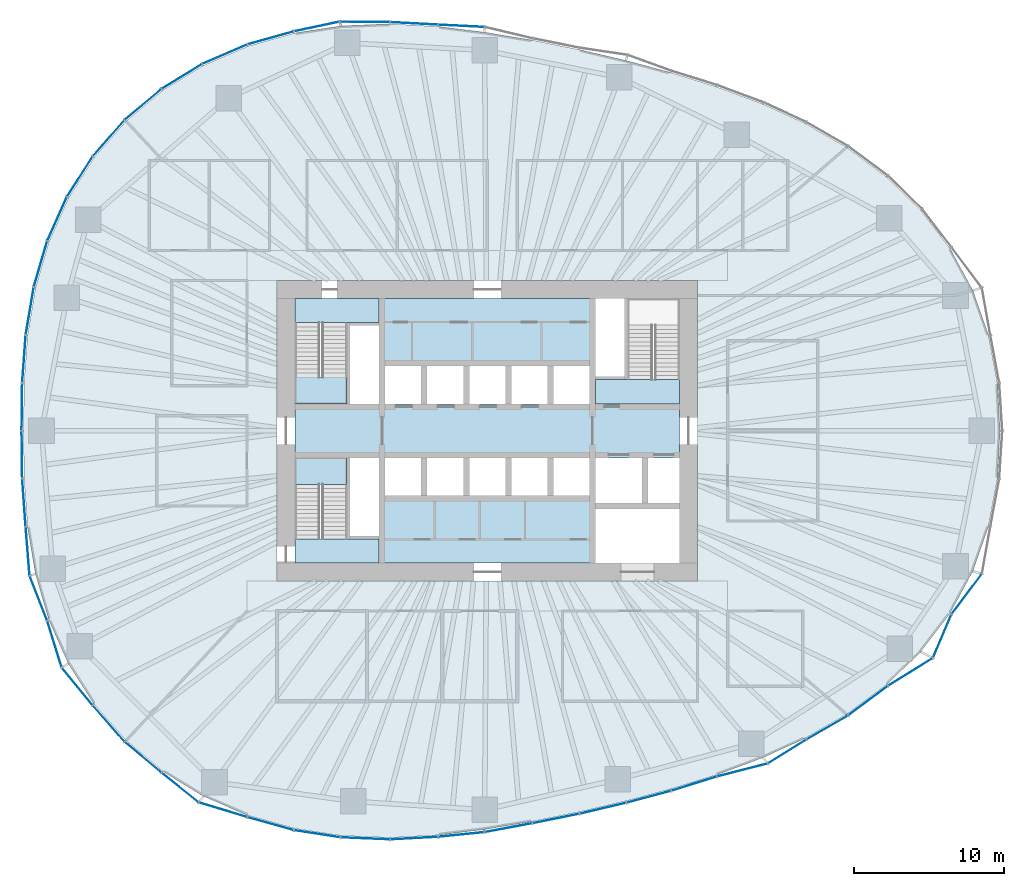
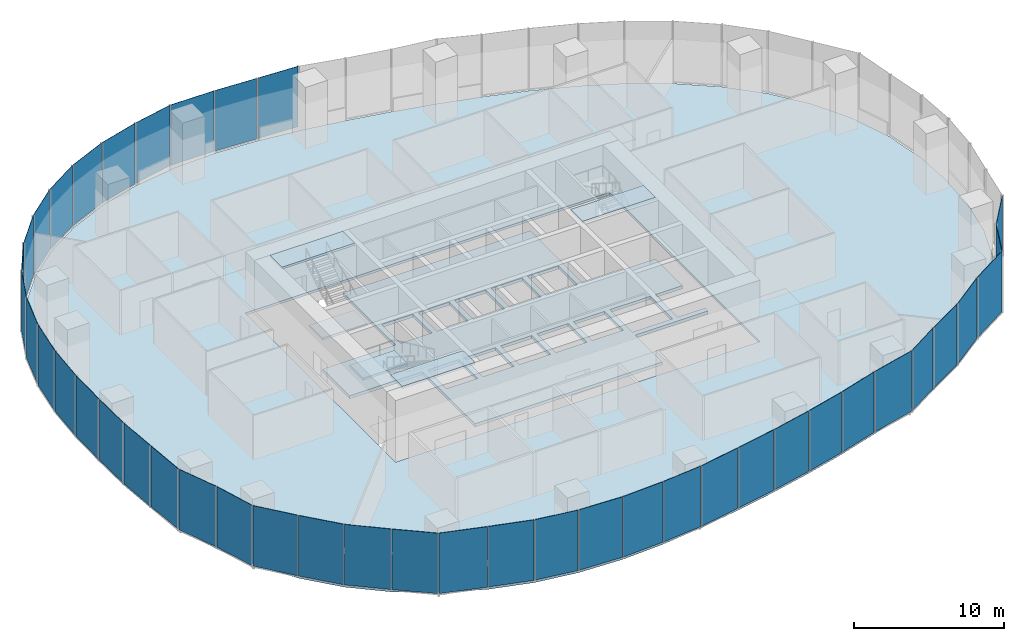
# One storey, part 8 of 19: 42 plates, 7 slabs, 17 elements without a shape of their own.
"""IFC4 building model written with IfcOpenShell, lengths in metres."""

from ifc_helpers import new_model, si_unit, direction, frame, origin, origin_2d, place, context, subcontext, project, spatial, polyline, rectangle, outline, extrude, material, layer, layer_set, type_object, element, aggregate, save


model = new_model("IFC4")

# Units and contexts
model_context = context("Model", 3, precision=1e-05, world=origin(), true_north=direction((0.0, 1.0)))
body_context = subcontext(model_context, "Body", "Model", "MODEL_VIEW")
ifc_project = project(units=[si_unit("LENGTHUNIT", "METRE"), si_unit("AREAUNIT", "SQUARE_METRE"), si_unit("VOLUMEUNIT", "CUBIC_METRE"), si_unit("PLANEANGLEUNIT", "RADIAN"), si_unit("MASSUNIT", "GRAM", prefix="KILO")], contexts=[model_context])

# Site, building, storey
site_placement = place(None, origin())
site = spatial("IfcSite", under=ifc_project, at=site_placement, CompositionType="ELEMENT")
building_placement = place(site_placement, origin())
building = spatial("IfcBuilding", under=site, at=building_placement, Name="Ghaith Harvest Tower", CompositionType="ELEMENT")
storey_placement = place(building_placement, frame((0.0, 0.0, 70.0)))
storey = spatial("IfcBuildingStorey", under=building, at=storey_placement, Name="L14", CompositionType="ELEMENT", Elevation=70.0)

# Curtain wall, plates
ifc_material_1 = material(Name="Black anodised aluminium and fritted glass", Category="aluminium")
curtain_wall_type = type_object("IfcCurtainWallType", Name="CW-F CURTAIN WALL", PredefinedType="NOTDEFINED", material=ifc_material_1)
curtain_wall_1_placement = place(storey_placement, origin())
curtain_wall_1 = element("IfcCurtainWall", 1, at=curtain_wall_1_placement, inside=storey, type_object=curtain_wall_type, Name="Curtain wall CW-F bay 06 L14", PredefinedType="NOTDEFINED")
ifc_material_2 = material(Name="Glass, high-transmission fritted double glazed unit", Category="glass")
ifc_layer_1 = layer(ifc_material_2, 0.028076171875)
ifc_layer_set_1 = layer_set([ifc_layer_1], Name="CW-F VISION PANEL")
plate_type = type_object("IfcPlateType", Name="CW-F VISION PANEL", PredefinedType="CURTAIN_PANEL", material=ifc_layer_set_1)
plate_1_placement = place(storey_placement, frame((-1.722900390625, 26.953369140625, 0.080078125), z_axis=(0.0, 0.0, 1.0), x_axis=(-0.998771443485, 0.049554048048, 0.0)))
plate_1 = element("IfcPlate", 2, at=plate_1_placement, type_object=plate_type, Name="CW-F panel 1 bay 06 L14", PredefinedType="CURTAIN_PANEL", context=body_context, shape_type="SweptSolid", body=[
    extrude(rectangle(XDim=3.001708984375, YDim=0.028076171875, at=origin_2d()), origin(), (0.0, 0.0, 1.0), 4.919921875),
])
plate_2_placement = place(storey_placement, frame((-4.863525390625, 27.11572265625, 0.080078125), z_axis=(0.0, 0.0, 1.0), x_axis=(-0.99856250263, 0.053599704667, 0.0)))
plate_2 = element("IfcPlate", 3, at=plate_2_placement, type_object=plate_type, Name="CW-F panel 2 bay 06 L14", PredefinedType="CURTAIN_PANEL", context=body_context, shape_type="SweptSolid", body=[
    extrude(rectangle(XDim=3.1279296875, YDim=0.028076171875, at=origin_2d()), origin(), (0.0, 0.0, 1.0), 4.919921875),
])
plate_3_placement = place(storey_placement, frame((-8.150390625, 27.217041015625, 0.080078125), z_axis=(0.0, 0.0, 1.0), x_axis=(-0.999959609481, 0.008987736446, 0.0)))
plate_3 = element("IfcPlate", 4, at=plate_3_placement, type_object=plate_type, Name="CW-F panel 3 bay 06 L14", PredefinedType="CURTAIN_PANEL", context=body_context, shape_type="SweptSolid", body=[
    extrude(rectangle(XDim=3.29052734375, YDim=0.028076171875, at=origin_2d()), origin(), (0.0, 0.0, 1.0), 4.919921875),
])
aggregate(curtain_wall_1, [plate_1, plate_2, plate_3])

curtain_wall_2_placement = place(storey_placement, origin())
curtain_wall_2 = element("IfcCurtainWall", 5, at=curtain_wall_2_placement, inside=storey, type_object=curtain_wall_type, Name="Curtain wall CW-F bay 07 L14", PredefinedType="NOTDEFINED")
plate_4_placement = place(storey_placement, frame((-11.358154296875, 26.908447265625, 0.080078125), z_axis=(0.0, 0.0, 1.0), x_axis=(-0.978149320779, -0.207903598476, 0.0)))
plate_4 = element("IfcPlate", 6, at=plate_4_placement, type_object=plate_type, Name="CW-F panel 1 bay 07 L14", PredefinedType="CURTAIN_PANEL", context=body_context, shape_type="SweptSolid", body=[
    extrude(rectangle(XDim=3.032958984375, YDim=0.028076171875, at=origin_2d()), origin(), (0.0, 0.0, 1.0), 4.919921875),
])
plate_5_placement = place(storey_placement, frame((-14.42578125, 26.150634765625, 0.080078125), z_axis=(0.0, 0.0, 1.0), x_axis=(-0.96272968243, -0.270465448012, 0.0)))
plate_5 = element("IfcPlate", 7, at=plate_5_placement, type_object=plate_type, Name="CW-F panel 2 bay 07 L14", PredefinedType="CURTAIN_PANEL", context=body_context, shape_type="SweptSolid", body=[
    extrude(rectangle(XDim=3.13037109375, YDim=0.028076171875, at=origin_2d()), origin(), (0.0, 0.0, 1.0), 4.919921875),
])
plate_6_placement = place(storey_placement, frame((-17.46923828125, 25.0693359375, 0.080078125), z_axis=(0.0, 0.0, 1.0), x_axis=(-0.918002845228, -0.396573796605, 0.0)))
plate_6 = element("IfcPlate", 8, at=plate_6_placement, type_object=plate_type, Name="CW-F panel 3 bay 07 L14", PredefinedType="CURTAIN_PANEL", context=body_context, shape_type="SweptSolid", body=[
    extrude(rectangle(XDim=3.18359375, YDim=0.028076171875, at=origin_2d()), origin(), (0.0, 0.0, 1.0), 4.919921875),
])
aggregate(curtain_wall_2, [plate_4, plate_5, plate_6])

curtain_wall_3_placement = place(storey_placement, origin())
curtain_wall_3 = element("IfcCurtainWall", 9, at=curtain_wall_3_placement, inside=storey, type_object=curtain_wall_type, Name="Curtain wall CW-F bay 08 L14", PredefinedType="NOTDEFINED")
plate_7_placement = place(storey_placement, frame((-20.324462890625, 23.590087890625, 0.080078125), z_axis=(0.0, 0.0, 1.0), x_axis=(-0.852527741552, -0.522681977769, 0.0)))
plate_7 = element("IfcPlate", 10, at=plate_7_placement, type_object=plate_type, Name="CW-F panel 1 bay 08 L14", PredefinedType="CURTAIN_PANEL", context=body_context, shape_type="SweptSolid", body=[
    extrude(rectangle(XDim=3.10400390625, YDim=0.028076171875, at=origin_2d()), origin(), (0.0, 0.0, 1.0), 4.919921875),
])
plate_8_placement = place(storey_placement, frame((-22.91064453125, 21.727294921875, 0.080078125), z_axis=(0.0, 0.0, 1.0), x_axis=(-0.766155215147, -0.642655573619, 0.0)))
plate_8 = element("IfcPlate", 11, at=plate_8_placement, type_object=plate_type, Name="CW-F panel 2 bay 08 L14", PredefinedType="CURTAIN_PANEL", context=body_context, shape_type="SweptSolid", body=[
    extrude(rectangle(XDim=3.1279296875, YDim=0.028076171875, at=origin_2d()), origin(), (0.0, 0.0, 1.0), 4.919921875),
])
plate_9_placement = place(storey_placement, frame((-25.201171875, 19.4853515625, 0.080078125), z_axis=(0.0, 0.0, 1.0), x_axis=(-0.659215937547, -0.751953687194, 0.0)))
plate_9 = element("IfcPlate", 12, at=plate_9_placement, type_object=plate_type, Name="CW-F panel 3 bay 08 L14", PredefinedType="CURTAIN_PANEL", context=body_context, shape_type="SweptSolid", body=[
    extrude(rectangle(XDim=3.1416015625, YDim=0.028076171875, at=origin_2d()), origin(), (0.0, 0.0, 1.0), 4.919921875),
])
aggregate(curtain_wall_3, [plate_7, plate_8, plate_9])

curtain_wall_4_placement = place(storey_placement, origin())
curtain_wall_4 = element("IfcCurtainWall", 13, at=curtain_wall_4_placement, inside=storey, type_object=curtain_wall_type, Name="Curtain wall CW-F bay 09 L14", PredefinedType="NOTDEFINED")
plate_10_placement = place(storey_placement, frame((-27.124755859375, 16.919677734375, 0.080078125), z_axis=(0.0, 0.0, 1.0), x_axis=(-0.536779195227, -0.843722759899, 0.0)))
plate_10 = element("IfcPlate", 14, at=plate_10_placement, type_object=plate_type, Name="CW-F panel 1 bay 09 L14", PredefinedType="CURTAIN_PANEL", context=body_context, shape_type="SweptSolid", body=[
    extrude(rectangle(XDim=3.13037109375, YDim=0.028076171875, at=origin_2d()), origin(), (0.0, 0.0, 1.0), 4.919921875),
])
plate_11_placement = place(storey_placement, frame((-28.639404296875, 14.100341796875, 0.080078125), z_axis=(0.0, 0.0, 1.0), x_axis=(-0.407134417018, -0.913368253488, 0.0)))
plate_11 = element("IfcPlate", 15, at=plate_11_placement, type_object=plate_type, Name="CW-F panel 2 bay 09 L14", PredefinedType="CURTAIN_PANEL", context=body_context, shape_type="SweptSolid", body=[
    extrude(rectangle(XDim=3.1279296875, YDim=0.028076171875, at=origin_2d()), origin(), (0.0, 0.0, 1.0), 4.919921875),
])
plate_12_placement = place(storey_placement, frame((-29.740478515625, 11.101318359375, 0.080078125), z_axis=(0.0, 0.0, 1.0), x_axis=(-0.280296918708, -0.959913348882, 0.0)))
plate_12 = element("IfcPlate", 16, at=plate_12_placement, type_object=plate_type, Name="CW-F panel 3 bay 09 L14", PredefinedType="CURTAIN_PANEL", context=body_context, shape_type="SweptSolid", body=[
    extrude(rectangle(XDim=3.1162109375, YDim=0.028076171875, at=origin_2d()), origin(), (0.0, 0.0, 1.0), 4.919921875),
])
aggregate(curtain_wall_4, [plate_10, plate_11, plate_12])

curtain_wall_5_placement = place(storey_placement, origin())
curtain_wall_5 = element("IfcCurtainWall", 17, at=curtain_wall_5_placement, inside=storey, type_object=curtain_wall_type, Name="Curtain wall CW-F bay 10 L14", PredefinedType="NOTDEFINED")
plate_13_placement = place(storey_placement, frame((-30.456298828125, 7.971435546875, 0.080078125), z_axis=(0.0, 0.0, 1.0), x_axis=(-0.165581316368, -0.986196140567, 0.0)))
plate_13 = element("IfcPlate", 18, at=plate_13_placement, type_object=plate_type, Name="CW-F panel 1 bay 10 L14", PredefinedType="CURTAIN_PANEL", context=body_context, shape_type="SweptSolid", body=[
    extrude(rectangle(XDim=3.156494140625, YDim=0.028076171875, at=origin_2d()), origin(), (0.0, 0.0, 1.0), 4.919921875),
])
plate_14_placement = place(storey_placement, frame((-30.84033203125, 4.77685546875, 0.080078125), z_axis=(0.0, 0.0, 1.0), x_axis=(-0.072420546123, -0.997374184797, 0.0)))
plate_14 = element("IfcPlate", 19, at=plate_14_placement, type_object=plate_type, Name="CW-F panel 2 bay 10 L14", PredefinedType="CURTAIN_PANEL", context=body_context, shape_type="SweptSolid", body=[
    extrude(rectangle(XDim=3.1259765625, YDim=0.028076171875, at=origin_2d()), origin(), (0.0, 0.0, 1.0), 4.919921875),
])
plate_15_placement = place(storey_placement, frame((-30.975830078125, 1.589111328125, 0.080078125), z_axis=(0.0, 0.0, 1.0), x_axis=(-0.012133206476, -0.999926389941, 0.0)))
plate_15 = element("IfcPlate", 20, at=plate_15_placement, type_object=plate_type, Name="CW-F panel 3 bay 10 L14", PredefinedType="CURTAIN_PANEL", context=body_context, shape_type="SweptSolid", body=[
    extrude(rectangle(XDim=3.09814453125, YDim=0.028076171875, at=origin_2d()), origin(), (0.0, 0.0, 1.0), 4.919921875),
])
aggregate(curtain_wall_5, [plate_13, plate_14, plate_15])

curtain_wall_6_placement = place(storey_placement, origin())
curtain_wall_6 = element("IfcCurtainWall", 21, at=curtain_wall_6_placement, inside=storey, type_object=curtain_wall_type, Name="Curtain wall CW-F bay 11 L14", PredefinedType="NOTDEFINED")
plate_16_placement = place(storey_placement, frame((-30.975830078125, -1.589111328125, 0.080078125), z_axis=(0.0, 0.0, 1.0), x_axis=(0.012133206773, -0.999926389937, 0.0)))
plate_16 = element("IfcPlate", 22, at=plate_16_placement, type_object=plate_type, Name="CW-F panel 1 bay 11 L14", PredefinedType="CURTAIN_PANEL", context=body_context, shape_type="SweptSolid", body=[
    extrude(rectangle(XDim=3.09814453125, YDim=0.028076171875, at=origin_2d()), origin(), (0.0, 0.0, 1.0), 4.919921875),
])
plate_17_placement = place(storey_placement, frame((-30.84033203125, -4.77685546875, 0.080078125), z_axis=(0.0, 0.0, 1.0), x_axis=(0.072420546349, -0.99737418478, 0.0)))
plate_17 = element("IfcPlate", 23, at=plate_17_placement, type_object=plate_type, Name="CW-F panel 2 bay 11 L14", PredefinedType="CURTAIN_PANEL", context=body_context, shape_type="SweptSolid", body=[
    extrude(rectangle(XDim=3.1259765625, YDim=0.028076171875, at=origin_2d()), origin(), (0.0, 0.0, 1.0), 4.919921875),
])
plate_18_placement = place(storey_placement, frame((-30.594482421875, -8.01513671875, 0.080078125), z_axis=(0.0, 0.0, 1.0), x_axis=(0.078867084181, -0.996885140341, 0.0)))
plate_18 = element("IfcPlate", 24, at=plate_18_placement, type_object=plate_type, Name="CW-F panel 3 bay 11 L14", PredefinedType="CURTAIN_PANEL", context=body_context, shape_type="SweptSolid", body=[
    extrude(rectangle(XDim=3.209716796875, YDim=0.028076171875, at=origin_2d()), origin(), (0.0, 0.0, 1.0), 4.919921875),
])
aggregate(curtain_wall_6, [plate_16, plate_17, plate_18])

curtain_wall_7_placement = place(storey_placement, origin())
curtain_wall_7 = element("IfcCurtainWall", 25, at=curtain_wall_7_placement, inside=storey, type_object=curtain_wall_type, Name="Curtain wall CW-F bay 12 L14", PredefinedType="NOTDEFINED")
plate_19_placement = place(storey_placement, frame((-29.878662109375, -11.14501953125, 0.080078125), z_axis=(0.0, 0.0, 1.0), x_axis=(0.366039738151, -0.930599220983, 0.0)))
plate_19 = element("IfcPlate", 26, at=plate_19_placement, type_object=plate_type, Name="CW-F panel 1 bay 12 L14", PredefinedType="CURTAIN_PANEL", context=body_context, shape_type="SweptSolid", body=[
    extrude(rectangle(XDim=3.122802734375, YDim=0.028076171875, at=origin_2d()), origin(), (0.0, 0.0, 1.0), 4.919921875),
])
plate_20_placement = place(storey_placement, frame((-28.809814453125, -14.195068359375, 0.080078125), z_axis=(0.0, 0.0, 1.0), x_axis=(0.295583054454, -0.95531704576, 0.0)))
plate_20 = element("IfcPlate", 27, at=plate_20_placement, type_object=plate_type, Name="CW-F panel 2 bay 12 L14", PredefinedType="CURTAIN_PANEL", context=body_context, shape_type="SweptSolid", body=[
    extrude(rectangle(XDim=3.185546875, YDim=0.028076171875, at=origin_2d()), origin(), (0.0, 0.0, 1.0), 4.919921875),
])
plate_21_placement = place(storey_placement, frame((-27.295166015625, -17.014404296875, 0.080078125), z_axis=(0.0, 0.0, 1.0), x_axis=(0.633789860881, -0.773505276158, 0.0)))
plate_21 = element("IfcPlate", 28, at=plate_21_placement, type_object=plate_type, Name="CW-F panel 3 bay 12 L14", PredefinedType="CURTAIN_PANEL", context=body_context, shape_type="SweptSolid", body=[
    extrude(rectangle(XDim=3.1767578125, YDim=0.028076171875, at=origin_2d()), origin(), (0.0, 0.0, 1.0), 4.919921875),
])
aggregate(curtain_wall_7, [plate_19, plate_20, plate_21])

curtain_wall_8_placement = place(storey_placement, origin())
curtain_wall_8 = element("IfcCurtainWall", 29, at=curtain_wall_8_placement, inside=storey, type_object=curtain_wall_type, Name="Curtain wall CW-F bay 13 L14", PredefinedType="NOTDEFINED")
plate_22_placement = place(storey_placement, frame((-25.201171875, -19.4853515625, 0.080078125), z_axis=(0.0, 0.0, 1.0), x_axis=(0.659215937337, -0.751953687378, 0.0)))
plate_22 = element("IfcPlate", 30, at=plate_22_placement, type_object=plate_type, Name="CW-F panel 1 bay 13 L14", PredefinedType="CURTAIN_PANEL", context=body_context, shape_type="SweptSolid", body=[
    extrude(rectangle(XDim=3.1416015625, YDim=0.028076171875, at=origin_2d()), origin(), (0.0, 0.0, 1.0), 4.919921875),
])
plate_23_placement = place(storey_placement, frame((-22.91064453125, -21.727294921875, 0.080078125), z_axis=(0.0, 0.0, 1.0), x_axis=(0.76615521545, -0.642655573258, 0.0)))
plate_23 = element("IfcPlate", 31, at=plate_23_placement, type_object=plate_type, Name="CW-F panel 2 bay 13 L14", PredefinedType="CURTAIN_PANEL", context=body_context, shape_type="SweptSolid", body=[
    extrude(rectangle(XDim=3.1279296875, YDim=0.028076171875, at=origin_2d()), origin(), (0.0, 0.0, 1.0), 4.919921875),
])
plate_24_placement = place(storey_placement, frame((-20.447265625, -23.748046875, 0.080078125), z_axis=(0.0, 0.0, 1.0), x_axis=(0.780122054158, -0.625627349639, 0.0)))
plate_24 = element("IfcPlate", 32, at=plate_24_placement, type_object=plate_type, Name="CW-F panel 3 bay 13 L14", PredefinedType="CURTAIN_PANEL", context=body_context, shape_type="SweptSolid", body=[
    extrude(rectangle(XDim=3.085205078125, YDim=0.028076171875, at=origin_2d()), origin(), (0.0, 0.0, 1.0), 4.919921875),
])
aggregate(curtain_wall_8, [plate_22, plate_23, plate_24])

curtain_wall_9_placement = place(storey_placement, origin())
curtain_wall_9 = element("IfcCurtainWall", 33, at=curtain_wall_9_placement, inside=storey, type_object=curtain_wall_type, Name="Curtain wall CW-F bay 14 L14", PredefinedType="NOTDEFINED")
plate_25_placement = place(storey_placement, frame((-17.591796875, -25.227294921875, 0.080078125), z_axis=(0.0, 0.0, 1.0), x_axis=(0.95734234218, -0.288956121011, 0.0)))
plate_25 = element("IfcPlate", 34, at=plate_25_placement, type_object=plate_type, Name="CW-F panel 1 bay 14 L14", PredefinedType="CURTAIN_PANEL", context=body_context, shape_type="SweptSolid", body=[
    extrude(rectangle(XDim=3.3056640625, YDim=0.028076171875, at=origin_2d()), origin(), (0.0, 0.0, 1.0), 4.919921875),
])
plate_26_placement = place(storey_placement, frame((-14.42578125, -26.150634765625, 0.080078125), z_axis=(0.0, 0.0, 1.0), x_axis=(0.962729682704, -0.270465447038, 0.0)))
plate_26 = element("IfcPlate", 35, at=plate_26_placement, type_object=plate_type, Name="CW-F panel 2 bay 14 L14", PredefinedType="CURTAIN_PANEL", context=body_context, shape_type="SweptSolid", body=[
    extrude(rectangle(XDim=3.13037109375, YDim=0.028076171875, at=origin_2d()), origin(), (0.0, 0.0, 1.0), 4.919921875),
])
plate_27_placement = place(storey_placement, frame((-11.327392578125, -26.82373046875, 0.080078125), z_axis=(0.0, 0.0, 1.0), x_axis=(0.98836987371, -0.152069039392, 0.0)))
plate_27 = element("IfcPlate", 36, at=plate_27_placement, type_object=plate_type, Name="CW-F panel 3 bay 14 L14", PredefinedType="CURTAIN_PANEL", context=body_context, shape_type="SweptSolid", body=[
    extrude(rectangle(XDim=3.0625, YDim=0.028076171875, at=origin_2d()), origin(), (0.0, 0.0, 1.0), 4.919921875),
])
aggregate(curtain_wall_9, [plate_25, plate_26, plate_27])

curtain_wall_10_placement = place(storey_placement, origin())
curtain_wall_10 = element("IfcCurtainWall", 37, at=curtain_wall_10_placement, inside=storey, type_object=curtain_wall_type, Name="Curtain wall CW-F bay 15 L14", PredefinedType="NOTDEFINED")
plate_28_placement = place(storey_placement, frame((-8.119873046875, -27.13232421875, 0.080078125), z_axis=(0.0, 0.0, 1.0), x_axis=(0.999118988518, -0.041967210794, 0.0)))
plate_28 = element("IfcPlate", 38, at=plate_28_placement, type_object=plate_type, Name="CW-F panel 1 bay 15 L14", PredefinedType="CURTAIN_PANEL", context=body_context, shape_type="SweptSolid", body=[
    extrude(rectangle(XDim=3.232177734375, YDim=0.028076171875, at=origin_2d()), origin(), (0.0, 0.0, 1.0), 4.919921875),
])
plate_29_placement = place(storey_placement, frame((-4.863525390625, -27.11572265625, 0.080078125), z_axis=(0.0, 0.0, 1.0), x_axis=(0.998562502616, 0.053599704928, 0.0)))
plate_29 = element("IfcPlate", 39, at=plate_29_placement, type_object=plate_type, Name="CW-F panel 2 bay 15 L14", PredefinedType="CURTAIN_PANEL", context=body_context, shape_type="SweptSolid", body=[
    extrude(rectangle(XDim=3.1279296875, YDim=0.028076171875, at=origin_2d()), origin(), (0.0, 0.0, 1.0), 4.919921875),
])
plate_30_placement = place(storey_placement, frame((-1.722412109375, -26.87353515625, 0.080078125), z_axis=(0.0, 0.0, 1.0), x_axis=(0.99488222177, 0.101041401443, 0.0)))
plate_30 = element("IfcPlate", 40, at=plate_30_placement, type_object=plate_type, Name="CW-F panel 3 bay 15 L14", PredefinedType="CURTAIN_PANEL", context=body_context, shape_type="SweptSolid", body=[
    extrude(rectangle(XDim=3.014892578125, YDim=0.028076171875, at=origin_2d()), origin(), (0.0, 0.0, 1.0), 4.919921875),
])
aggregate(curtain_wall_10, [plate_28, plate_29, plate_30])

curtain_wall_11_placement = place(storey_placement, origin())
curtain_wall_11 = element("IfcCurtainWall", 41, at=curtain_wall_11_placement, inside=storey, type_object=curtain_wall_type, Name="Curtain wall CW-F bay 16 L14", PredefinedType="NOTDEFINED")
plate_31_placement = place(storey_placement, frame((1.4130859375, -26.420166015625, 0.080078125), z_axis=(0.0, 0.0, 1.0), x_axis=(0.983131230266, 0.182901569365, 0.0)))
plate_31 = element("IfcPlate", 42, at=plate_31_placement, type_object=plate_type, Name="CW-F panel 1 bay 16 L14", PredefinedType="CURTAIN_PANEL", context=body_context, shape_type="SweptSolid", body=[
    extrude(rectangle(XDim=3.166748046875, YDim=0.028076171875, at=origin_2d()), origin(), (0.0, 0.0, 1.0), 4.919921875),
])
plate_32_placement = place(storey_placement, frame((4.5732421875, -25.809326171875, 0.080078125), z_axis=(0.0, 0.0, 1.0), x_axis=(0.98043234808, 0.196856320293, 0.0)))
plate_32 = element("IfcPlate", 43, at=plate_32_placement, type_object=plate_type, Name="CW-F panel 2 bay 16 L14", PredefinedType="CURTAIN_PANEL", context=body_context, shape_type="SweptSolid", body=[
    extrude(rectangle(XDim=3.1103515625, YDim=0.028076171875, at=origin_2d()), origin(), (0.0, 0.0, 1.0), 4.919921875),
])
plate_33_placement = place(storey_placement, frame((7.697265625, -25.129150390625, 0.080078125), z_axis=(0.0, 0.0, 1.0), x_axis=(0.973564757908, 0.228411169079, 0.0)))
plate_33 = element("IfcPlate", 44, at=plate_33_placement, type_object=plate_type, Name="CW-F panel 3 bay 16 L14", PredefinedType="CURTAIN_PANEL", context=body_context, shape_type="SweptSolid", body=[
    extrude(rectangle(XDim=3.125, YDim=0.028076171875, at=origin_2d()), origin(), (0.0, 0.0, 1.0), 4.919921875),
])
aggregate(curtain_wall_11, [plate_31, plate_32, plate_33])

curtain_wall_12_placement = place(storey_placement, origin())
curtain_wall_12 = element("IfcCurtainWall", 45, at=curtain_wall_12_placement, inside=storey, type_object=curtain_wall_type, Name="Curtain wall CW-F bay 17 L14", PredefinedType="NOTDEFINED")
plate_34_placement = place(storey_placement, frame((10.745849609375, -24.36376953125, 0.080078125), z_axis=(0.0, 0.0, 1.0), x_axis=(0.965848435029, 0.259107700681, 0.0)))
plate_34 = element("IfcPlate", 46, at=plate_34_placement, type_object=plate_type, Name="CW-F panel 1 bay 17 L14", PredefinedType="CURTAIN_PANEL", context=body_context, shape_type="SweptSolid", body=[
    extrude(rectangle(XDim=3.002197265625, YDim=0.028076171875, at=origin_2d()), origin(), (0.0, 0.0, 1.0), 4.919921875),
])
plate_35_placement = place(storey_placement, frame((13.760986328125, -23.490234375, 0.080078125), z_axis=(0.0, 0.0, 1.0), x_axis=(0.954988265447, 0.296643578827, 0.0)))
plate_35 = element("IfcPlate", 47, at=plate_35_placement, type_object=plate_type, Name="CW-F panel 2 bay 17 L14", PredefinedType="CURTAIN_PANEL", context=body_context, shape_type="SweptSolid", body=[
    extrude(rectangle(XDim=3.1171875, YDim=0.028076171875, at=origin_2d()), origin(), (0.0, 0.0, 1.0), 4.919921875),
])
plate_36_placement = place(storey_placement, frame((16.980712890625, -22.580322265625, 0.080078125), z_axis=(0.0, 0.0, 1.0), x_axis=(0.968451429434, 0.249202385275, 0.0)))
plate_36 = element("IfcPlate", 48, at=plate_36_placement, type_object=plate_type, Name="CW-F panel 3 bay 17 L14", PredefinedType="CURTAIN_PANEL", context=body_context, shape_type="SweptSolid", body=[
    extrude(rectangle(XDim=3.416748046875, YDim=0.028076171875, at=origin_2d()), origin(), (0.0, 0.0, 1.0), 4.919921875),
])
aggregate(curtain_wall_12, [plate_34, plate_35, plate_36])

curtain_wall_13_placement = place(storey_placement, origin())
curtain_wall_13 = element("IfcCurtainWall", 49, at=curtain_wall_13_placement, inside=storey, type_object=curtain_wall_type, Name="Curtain wall CW-F bay 18 L14", PredefinedType="NOTDEFINED")
plate_37_placement = place(storey_placement, frame((19.954833984375, -21.348876953125, 0.080078125), z_axis=(0.0, 0.0, 1.0), x_axis=(0.849360700005, 0.527812846837, 0.0)))
plate_37 = element("IfcPlate", 50, at=plate_37_placement, type_object=plate_type, Name="CW-F panel 1 bay 18 L14", PredefinedType="CURTAIN_PANEL", context=body_context, shape_type="SweptSolid", body=[
    extrude(rectangle(XDim=2.935791015625, YDim=0.028076171875, at=origin_2d()), origin(), (0.0, 0.0, 1.0), 4.919921875),
])
plate_38_placement = place(storey_placement, frame((22.626953125, -19.750244140625, 0.080078125), z_axis=(0.0, 0.0, 1.0), x_axis=(0.866159208454, 0.499768171866, 0.0)))
plate_38 = element("IfcPlate", 51, at=plate_38_placement, type_object=plate_type, Name="CW-F panel 2 bay 18 L14", PredefinedType="CURTAIN_PANEL", context=body_context, shape_type="SweptSolid", body=[
    extrude(rectangle(XDim=3.1328125, YDim=0.028076171875, at=origin_2d()), origin(), (0.0, 0.0, 1.0), 4.919921875),
])
plate_39_placement = place(storey_placement, frame((25.34619140625, -17.96142578125, 0.080078125), z_axis=(0.0, 0.0, 1.0), x_axis=(0.802866788713, 0.596158468515, 0.0)))
plate_39 = element("IfcPlate", 52, at=plate_39_placement, type_object=plate_type, Name="CW-F panel 3 bay 18 L14", PredefinedType="CURTAIN_PANEL", context=body_context, shape_type="SweptSolid", body=[
    extrude(rectangle(XDim=3.2275390625, YDim=0.028076171875, at=origin_2d()), origin(), (0.0, 0.0, 1.0), 4.919921875),
])
aggregate(curtain_wall_13, [plate_37, plate_38, plate_39])

curtain_wall_14_placement = place(storey_placement, origin())
curtain_wall_14 = element("IfcCurtainWall", 53, at=curtain_wall_14_placement, inside=storey, type_object=curtain_wall_type, Name="Curtain wall CW-F bay 19 L14", PredefinedType="NOTDEFINED")
plate_40_placement = place(storey_placement, frame((28.166748046875, -16.05126953125, 0.080078125), z_axis=(0.0, 0.0, 1.0), x_axis=(0.850245604669, 0.526386181184, 0.0)))
plate_40 = element("IfcPlate", 54, at=plate_40_placement, type_object=plate_type, Name="CW-F panel 1 bay 19 L14", PredefinedType="CURTAIN_PANEL", context=body_context, shape_type="SweptSolid", body=[
    extrude(rectangle(XDim=3.431884765625, YDim=0.028076171875, at=origin_2d()), origin(), (0.0, 0.0, 1.0), 4.919921875),
])
plate_41_placement = place(storey_placement, frame((30.2783203125, -13.6708984375, 0.080078125), z_axis=(0.0, 0.0, 1.0), x_axis=(0.390980294296, 0.920399049039, 0.0)))
plate_41 = element("IfcPlate", 55, at=plate_41_placement, type_object=plate_type, Name="CW-F panel 2 bay 19 L14", PredefinedType="CURTAIN_PANEL", context=body_context, shape_type="SweptSolid", body=[
    extrude(rectangle(XDim=3.083740234375, YDim=0.028076171875, at=origin_2d()), origin(), (0.0, 0.0, 1.0), 4.919921875),
])
plate_42_placement = place(storey_placement, frame((31.91015625, -10.865234375, 0.080078125), z_axis=(0.0, 0.0, 1.0), x_axis=(0.600454091429, 0.799659229976, 0.0)))
plate_42 = element("IfcPlate", 56, at=plate_42_placement, type_object=plate_type, Name="CW-F panel 3 bay 19 L14", PredefinedType="CURTAIN_PANEL", context=body_context, shape_type="SweptSolid", body=[
    extrude(rectangle(XDim=3.295654296875, YDim=0.028076171875, at=origin_2d()), origin(), (0.0, 0.0, 1.0), 4.919921875),
])
aggregate(curtain_wall_14, [plate_40, plate_41, plate_42])

# Slabs
ifc_material_3 = material(Name="Concrete C40/50", Category="concrete")
ifc_layer_2 = layer(ifc_material_3, 0.199951171875)
ifc_layer_set_2 = layer_set([ifc_layer_2], Name="FLOOR SLAB 200")
slab_type_1 = type_object("IfcSlabType", Name="FLOOR SLAB 200", PredefinedType="FLOOR", material=ifc_layer_set_2)
slab_1_placement = place(storey_placement, frame((0.0, 0.0, -0.199951171875)))
element("IfcSlab", 57, at=slab_1_placement, inside=storey, type_object=slab_type_1, Name="Floor slab L14", PredefinedType="FLOOR", context=body_context, shape_type="SweptSolid", body=[
    extrude(outline(polyline([(34.125, 0.0), (33.95849609375, 3.194091796875), (33.37158203125, 6.333984375), (32.318359375, 9.3408203125), (30.78515625, 12.1708984375), (28.840087890625, 14.708984375), (26.572509765625, 16.9111328125), (23.92431640625, 18.873046875), (21.149169921875, 20.469482421875), (18.34521484375, 21.7548828125), (15.22119140625, 22.916259765625), (12.1796875, 23.857666015625), (9.21533203125, 24.65087890625), (6.10888671875, 25.378662109375), (2.99560546875, 26.004150390625), (-0.181396484375, 26.527099609375), (-3.24755859375, 26.91064453125), (-6.4375, 27.0849609375), (-9.733642578125, 26.949951171875), (-12.828125, 26.476806640625), (-15.907958984375, 25.614501953125), (-18.8935546875, 24.32763671875), (-21.59912109375, 22.671142578125), (-24.04833984375, 20.618408203125), (-26.16455078125, 18.20556640625), (-27.881591796875, 15.507080078125), (-29.182373046875, 12.587890625), (-30.073974609375, 9.531005859375), (-30.606689453125, 6.35107421875), (-30.837158203125, 3.165771484375), (-30.875, 0.0), (-30.837158203125, -3.165771484375), (-30.606689453125, -6.35107421875), (-30.073974609375, -9.531005859375), (-29.182373046875, -12.587890625), (-27.881591796875, -15.507080078125), (-26.16455078125, -18.20556640625), (-24.04833984375, -20.618408203125), (-21.59912109375, -22.671142578125), (-18.8935546875, -24.32763671875), (-15.907958984375, -25.614501953125), (-12.828125, -26.476806640625), (-9.733642578125, -26.949951171875), (-6.4375, -27.0849609375), (-3.24755859375, -26.91064453125), (-0.181396484375, -26.527099609375), (2.99560546875, -26.004150390625), (6.10888671875, -25.378662109375), (9.21533203125, -24.65087890625), (12.1796875, -23.857666015625), (15.22119140625, -22.916259765625), (18.34521484375, -21.7548828125), (21.149169921875, -20.469482421875), (23.92431640625, -18.873046875), (26.572509765625, -16.9111328125), (28.840087890625, -14.708984375), (30.78515625, -12.1708984375), (32.318359375, -9.3408203125), (33.37158203125, -6.333984375), (33.95849609375, -3.194091796875), (34.125, 0.0)]), holes=[polyline([(-14.0, -10.0), (14.0, -10.0), (14.0, 10.0), (-14.0, 10.0), (-14.0, -10.0)])]), origin(), (0.0, 0.0, 1.0), 0.199951171875),
])
ifc_material_4 = material(Name="Concrete C40/50", Category="concrete")
ifc_layer_3 = layer(ifc_material_4, 0.25)
ifc_layer_set_3 = layer_set([ifc_layer_3], Name="FLOOR SLAB 250")
slab_type_2 = type_object("IfcSlabType", Name="FLOOR SLAB 250", PredefinedType="FLOOR", material=ifc_layer_set_3)
slab_2_placement = place(storey_placement, frame((0.0, 0.0, -0.25)))
element("IfcSlab", 58, at=slab_2_placement, inside=storey, type_object=slab_type_2, Name="Core slab L14", PredefinedType="FLOOR", context=body_context, shape_type="SweptSolid", body=[
    extrude(outline(polyline([(-12.800048828125, 1.800048828125), (-7.199951171875, 1.800048828125), (-7.199951171875, 8.800048828125), (7.199951171875, 8.800048828125), (7.199951171875, 1.800048828125), (12.800048828125, 1.800048828125), (12.800048828125, -1.800048828125), (10.699951171875, -1.800048828125), (10.699951171875, -4.800048828125), (12.800048828125, -4.800048828125), (12.800048828125, -5.199951171875), (7.199951171875, -5.199951171875), (7.199951171875, -8.800048828125), (-7.199951171875, -8.800048828125), (-7.199951171875, -1.800048828125), (-12.800048828125, -1.800048828125), (-12.800048828125, 1.800048828125)]), holes=[polyline([(-4.39990234375, -4.300048828125), (-4.39990234375, -1.800048828125), (-6.800048828125, -1.800048828125), (-6.800048828125, -4.300048828125), (-4.39990234375, -4.300048828125)]), polyline([(-1.60009765625, -4.300048828125), (-1.60009765625, -1.800048828125), (-4.0, -1.800048828125), (-4.0, -4.300048828125), (-1.60009765625, -4.300048828125)]), polyline([(1.199951171875, -4.300048828125), (1.199951171875, -1.800048828125), (-1.199951171875, -1.800048828125), (-1.199951171875, -4.300048828125), (1.199951171875, -4.300048828125)]), polyline([(-4.39990234375, 1.800048828125), (-4.39990234375, 4.300048828125), (-6.800048828125, 4.300048828125), (-6.800048828125, 1.800048828125), (-4.39990234375, 1.800048828125)]), polyline([(-1.60009765625, 1.800048828125), (-1.60009765625, 4.300048828125), (-4.0, 4.300048828125), (-4.0, 1.800048828125), (-1.60009765625, 1.800048828125)]), polyline([(1.199951171875, 1.800048828125), (1.199951171875, 4.300048828125), (-1.199951171875, 4.300048828125), (-1.199951171875, 1.800048828125), (1.199951171875, 1.800048828125)]), polyline([(10.300048828125, -4.800048828125), (10.300048828125, -1.800048828125), (7.199951171875, -1.800048828125), (7.199951171875, -4.800048828125), (10.300048828125, -4.800048828125)]), polyline([(4.0, -4.300048828125), (4.0, -1.800048828125), (1.60009765625, -1.800048828125), (1.60009765625, -4.300048828125), (4.0, -4.300048828125)]), polyline([(6.800048828125, -4.300048828125), (6.800048828125, -1.800048828125), (4.39990234375, -1.800048828125), (4.39990234375, -4.300048828125), (6.800048828125, -4.300048828125)]), polyline([(4.0, 1.800048828125), (4.0, 4.300048828125), (1.60009765625, 4.300048828125), (1.60009765625, 1.800048828125), (4.0, 1.800048828125)]), polyline([(6.800048828125, 1.800048828125), (6.800048828125, 4.300048828125), (4.39990234375, 4.300048828125), (4.39990234375, 1.800048828125), (6.800048828125, 1.800048828125)])]), origin(), (0.0, 0.0, 1.0), 0.25),
])

# Stair, slabs
ifc_material_5 = material(Name="Concrete C40/50, precast", Category="concrete")
stair_type = type_object("IfcStairType", Name="CORE STAIR 28R", PredefinedType="HALF_TURN_STAIR", material=ifc_material_5)
stair_1_placement = place(storey_placement, origin())
stair_1 = element("IfcStair", 59, at=stair_1_placement, inside=storey, type_object=stair_type, Name="Stair ST1 L14", PredefinedType="HALF_TURN_STAIR")
ifc_material_6 = material(Name="Concrete C40/50, precast", Category="concrete")
ifc_layer_4 = layer(ifc_material_6, 0.179931640625)
ifc_layer_set_4 = layer_set([ifc_layer_4], Name="STAIR LANDING 180")
slab_type_3 = type_object("IfcSlabType", Name="STAIR LANDING 180", PredefinedType="LANDING", material=ifc_layer_set_4)
slab_3_placement = place(storey_placement, frame((0.0, 0.0, 2.320068359375)))
slab_3 = element("IfcSlab", 60, at=slab_3_placement, type_object=slab_type_3, Name="ST1 landing 1", PredefinedType="LANDING", context=body_context, shape_type="SweptSolid", body=[
    extrude(outline(polyline([(-12.800048828125, 3.580078125), (-12.800048828125, 1.800048828125), (-9.35009765625, 1.800048828125), (-9.35009765625, 3.580078125), (-12.800048828125, 3.580078125)])), origin(), (0.0, 0.0, 1.0), 0.179931640625),
])
slab_4_placement = place(storey_placement, frame((0.0, 0.0, 4.820068359375)))
slab_4 = element("IfcSlab", 61, at=slab_4_placement, type_object=slab_type_3, Name="ST1 landing 2", PredefinedType="LANDING", context=body_context, shape_type="SweptSolid", body=[
    extrude(outline(polyline([(-12.800048828125, 8.800048828125), (-12.800048828125, 7.199951171875), (-7.199951171875, 7.199951171875), (-7.199951171875, 8.800048828125), (-12.800048828125, 8.800048828125)])), origin(), (0.0, 0.0, 1.0), 0.179931640625),
])
aggregate(stair_1, [slab_3, slab_4])

stair_2_placement = place(storey_placement, origin())
stair_2 = element("IfcStair", 62, at=stair_2_placement, inside=storey, type_object=stair_type, Name="Stair ST3 L14", PredefinedType="HALF_TURN_STAIR")
slab_5_placement = place(storey_placement, frame((0.0, 0.0, 2.320068359375)))
slab_5 = element("IfcSlab", 63, at=slab_5_placement, type_object=slab_type_3, Name="ST3 landing 1", PredefinedType="LANDING", context=body_context, shape_type="SweptSolid", body=[
    extrude(outline(polyline([(-12.800048828125, -3.580078125), (-12.800048828125, -1.800048828125), (-9.35009765625, -1.800048828125), (-9.35009765625, -3.580078125), (-12.800048828125, -3.580078125)])), origin(), (0.0, 0.0, 1.0), 0.179931640625),
])
slab_6_placement = place(storey_placement, frame((0.0, 0.0, 4.820068359375)))
slab_6 = element("IfcSlab", 64, at=slab_6_placement, type_object=slab_type_3, Name="ST3 landing 2", PredefinedType="LANDING", context=body_context, shape_type="SweptSolid", body=[
    extrude(outline(polyline([(-12.800048828125, -8.800048828125), (-12.800048828125, -7.199951171875), (-7.199951171875, -7.199951171875), (-7.199951171875, -8.800048828125), (-12.800048828125, -8.800048828125)])), origin(), (0.0, 0.0, 1.0), 0.179931640625),
])
aggregate(stair_2, [slab_5, slab_6])

# Stair, slab
stair_3_placement = place(storey_placement, origin())
stair_3 = element("IfcStair", 65, at=stair_3_placement, inside=storey, type_object=stair_type, Name="Stair ST2 L14", PredefinedType="HALF_TURN_STAIR")
slab_7_placement = place(storey_placement, frame((0.0, 0.0, 4.820068359375)))
slab_7 = element("IfcSlab", 66, at=slab_7_placement, type_object=slab_type_3, Name="ST2 landing 2", PredefinedType="LANDING", context=body_context, shape_type="SweptSolid", body=[
    extrude(outline(polyline([(12.800048828125, 1.800048828125), (12.800048828125, 3.39990234375), (7.199951171875, 3.39990234375), (7.199951171875, 1.800048828125), (12.800048828125, 1.800048828125)])), origin(), (0.0, 0.0, 1.0), 0.179931640625),
])
aggregate(stair_3, [slab_7])

save(model, "model.ifc")
